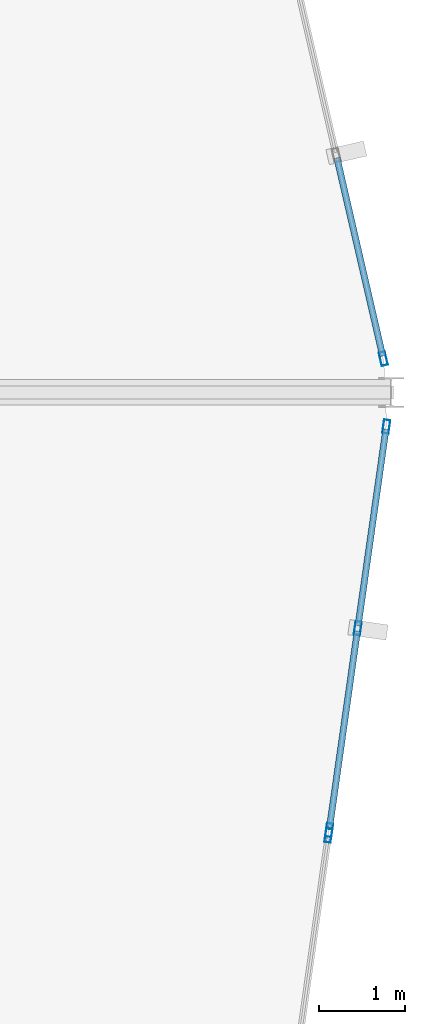
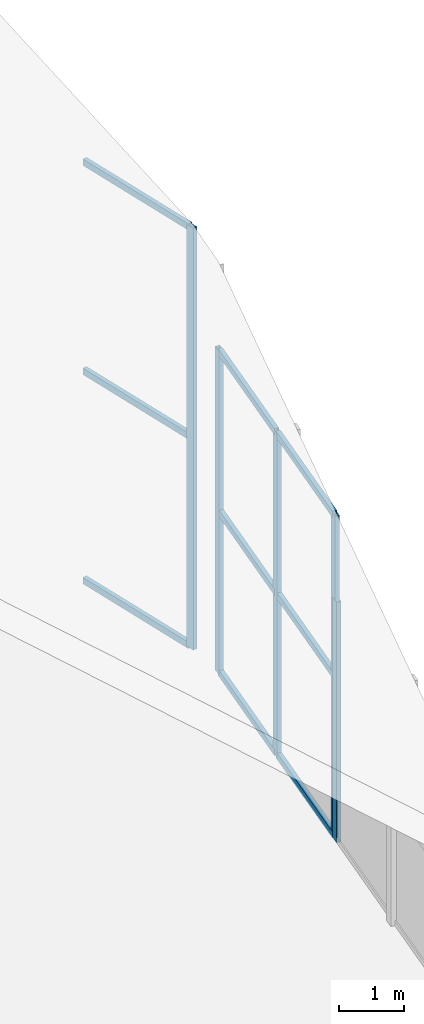
# One storey, part 23 of 74: 14 members, 3 elements without a shape of their own.
"""IFC4 building model written with IfcOpenShell, lengths in metres."""

from ifc_helpers import new_model, si_unit, direction, frame, origin, origin_2d, place, context, subcontext, project, spatial, hollow_rectangle, extrude, material, layer, layer_set, material_profile, profile_set, type_object, element, aggregate, save


model = new_model("IFC4")

# Units and contexts
model_context = context("Model", 3, precision=1e-05, world=origin(), true_north=direction((0.0, 1.0)))
body_context = subcontext(model_context, "Body", "Model", "MODEL_VIEW")
ifc_project = project(units=[si_unit("LENGTHUNIT", "METRE"), si_unit("AREAUNIT", "SQUARE_METRE"), si_unit("VOLUMEUNIT", "CUBIC_METRE"), si_unit("PLANEANGLEUNIT", "RADIAN"), si_unit("MASSUNIT", "GRAM", prefix="KILO")], contexts=[model_context])

# Site, building, storey
site_placement = place(None, origin())
site = spatial("IfcSite", under=ifc_project, at=site_placement, CompositionType="ELEMENT")
building_placement = place(site_placement, origin())
building = spatial("IfcBuilding", under=site, at=building_placement, Name="Keshet Zoharim Tower", CompositionType="ELEMENT")
storey_placement = place(building_placement, frame((0.0, 0.0, 320.0)))
storey = spatial("IfcBuildingStorey", under=building, at=storey_placement, Name="RF", CompositionType="ELEMENT", Elevation=320.0)

# Curtain wall, member
ifc_material = material(Name="Aluminium 6063-T6", Category="aluminium")
ifc_layer = layer(ifc_material, 0.260009765625)
ifc_layer_set = layer_set([ifc_layer], Name="Aluminium 6063-T6")
curtain_wall_type = type_object("IfcCurtainWallType", Name="CW-SYS-06", PredefinedType="NOTDEFINED", material=ifc_layer_set)
curtain_wall_1_placement = place(storey_placement, origin())
curtain_wall_1 = element("IfcCurtainWall", 1, at=curtain_wall_1_placement, inside=storey, type_object=curtain_wall_type, Name="Slanted Crown Curtain Wall 21", PredefinedType="NOTDEFINED")
ifc_material_profile_1 = material_profile(ifc_material, hollow_rectangle(XDim=0.074951171875, YDim=0.159912109375, WallThickness=0.00390625, at=origin_2d()), Name="MUL-75x160")
ifc_profile_set_1 = profile_set([ifc_material_profile_1], Name="Aluminium 6063-T6")
member_type_1 = type_object("IfcMemberType", Name="CWM-M15", PredefinedType="MULLION", material=ifc_profile_set_1)
member_1_placement = place(storey_placement, frame((44.90869140625, 28.293701171875, 0.0), z_axis=(0.0, 0.0, 1.0), x_axis=(0.974384378225, 0.224889047025, 0.0)))
member_1 = element("IfcMember", 2, at=member_1_placement, type_object=member_type_1, Name="CW-06 mullion 3", PredefinedType="MULLION", context=body_context, shape_type="SweptSolid", body=[
    extrude(hollow_rectangle(XDim=0.074951171875, YDim=0.159912109375, WallThickness=0.00390625, at=origin_2d()), origin(), (0.0, 0.0, 1.0), 7.902099609375),
])

# Curtain wall, members
curtain_wall_2_placement = place(storey_placement, origin())
curtain_wall_2 = element("IfcCurtainWall", 3, at=curtain_wall_2_placement, inside=storey, type_object=curtain_wall_type, Name="Slanted Crown Curtain Wall 22", PredefinedType="NOTDEFINED")
member_2_placement = place(storey_placement, frame((44.943359375, 27.499755859375, 0.0), z_axis=(0.0, 0.0, 1.0), x_axis=(0.990139244607, -0.140086674201, 0.0)))
member_2 = element("IfcMember", 4, at=member_2_placement, type_object=member_type_1, Name="CW-06 mullion 1", PredefinedType="MULLION", context=body_context, shape_type="SweptSolid", body=[
    extrude(hollow_rectangle(XDim=0.074951171875, YDim=0.159912109375, WallThickness=0.00390625, at=origin_2d()), origin(), (0.0, 0.0, 1.0), 6.069091796875),
])
member_3_placement = place(storey_placement, frame((44.610107421875, 25.14306640625, 0.0), z_axis=(0.0, 0.0, 1.0), x_axis=(0.990139244607, -0.140086674201, 0.0)))
member_3 = element("IfcMember", 5, at=member_3_placement, type_object=member_type_1, Name="CW-06 mullion 2", PredefinedType="MULLION", context=body_context, shape_type="SweptSolid", body=[
    extrude(hollow_rectangle(XDim=0.074951171875, YDim=0.159912109375, WallThickness=0.00390625, at=origin_2d()), origin(), (0.0, 0.0, 1.0), 6.069091796875),
])
member_4_placement = place(storey_placement, frame((44.276611328125, 22.7861328125, 0.0), z_axis=(0.0, 0.0, 1.0), x_axis=(0.990139244607, -0.140086674201, 0.0)))
member_4 = element("IfcMember", 6, at=member_4_placement, type_object=member_type_1, Name="CW-06 mullion 3", PredefinedType="MULLION", context=body_context, shape_type="SweptSolid", body=[
    extrude(hollow_rectangle(XDim=0.074951171875, YDim=0.159912109375, WallThickness=0.00390625, at=origin_2d()), origin(), (0.0, 0.0, 1.0), 6.069091796875),
])

# Curtain wall, member
curtain_wall_3_placement = place(storey_placement, origin())
curtain_wall_3 = element("IfcCurtainWall", 7, at=curtain_wall_3_placement, inside=storey, type_object=curtain_wall_type, Name="Slanted Crown Curtain Wall 23", PredefinedType="NOTDEFINED")
member_5_placement = place(storey_placement, frame((44.267333984375, 22.721923828125, 0.0), z_axis=(0.0, 0.0, 1.0), x_axis=(0.990139244607, -0.140086674201, 0.0)))
member_5 = element("IfcMember", 8, at=member_5_placement, type_object=member_type_1, Name="CW-06 mullion 1", PredefinedType="MULLION", context=body_context, shape_type="SweptSolid", body=[
    extrude(hollow_rectangle(XDim=0.074951171875, YDim=0.159912109375, WallThickness=0.00390625, at=origin_2d()), origin(), (0.0, 0.0, 1.0), 4.5029296875),
])
aggregate(curtain_wall_3, [member_5])

# Member
ifc_material_profile_2 = material_profile(ifc_material, hollow_rectangle(XDim=0.074951171875, YDim=0.1201171875, WallThickness=0.00390625, at=origin_2d()), Name="TRN-75x120")
ifc_profile_set_2 = profile_set([ifc_material_profile_2], Name="Aluminium 6063-T6")
member_type_2 = type_object("IfcMemberType", Name="CWT-T12", PredefinedType="USERDEFINED", material=ifc_profile_set_2)
member_6_placement = place(storey_placement, frame((44.3671875, 30.639404296875, 0.032470703125), z_axis=(0.224934587416, -0.974373866329, 0.0), x_axis=(0.974373866329, 0.224934587416, 0.0)))
member_6 = element("IfcMember", 9, at=member_6_placement, type_object=member_type_2, Name="CW-06 transom 2.1", ObjectType="TRANSOM", PredefinedType="USERDEFINED", context=body_context, shape_type="SweptSolid", body=[
    extrude(hollow_rectangle(XDim=0.074951171875, YDim=0.1201171875, WallThickness=0.00390625, at=origin_2d()), origin(), (0.0, 0.0, 1.0), 2.374755859375),
])

member_7_placement = place(storey_placement, frame((44.3671875, 30.639404296875, 3.950927734375), z_axis=(0.224934587416, -0.974373866329, 0.0), x_axis=(0.974373866329, 0.224934587416, 0.0)))
member_7 = element("IfcMember", 10, at=member_7_placement, type_object=member_type_2, Name="CW-06 transom 2.2", ObjectType="TRANSOM", PredefinedType="USERDEFINED", context=body_context, shape_type="SweptSolid", body=[
    extrude(hollow_rectangle(XDim=0.074951171875, YDim=0.1201171875, WallThickness=0.00390625, at=origin_2d()), origin(), (0.0, 0.0, 1.0), 2.374755859375),
])

member_8_placement = place(storey_placement, frame((44.3671875, 30.639404296875, 7.869384765625), z_axis=(0.224934587416, -0.974373866329, 0.0), x_axis=(0.974373866329, 0.224934587416, 0.0)))
member_8 = element("IfcMember", 11, at=member_8_placement, type_object=member_type_2, Name="CW-06 transom 2.3", ObjectType="TRANSOM", PredefinedType="USERDEFINED", context=body_context, shape_type="SweptSolid", body=[
    extrude(hollow_rectangle(XDim=0.074951171875, YDim=0.1201171875, WallThickness=0.00390625, at=origin_2d()), origin(), (0.0, 0.0, 1.0), 2.374755859375),
])

aggregate(curtain_wall_1, [member_1, member_6, member_7, member_8])

member_9_placement = place(storey_placement, frame((44.93896484375, 27.467529296875, 0.032470703125), z_axis=(-0.140151544957, -0.990130064409, 0.0), x_axis=(0.990130064409, -0.140151544957, 0.0)))
member_9 = element("IfcMember", 12, at=member_9_placement, type_object=member_type_2, Name="CW-06 transom 1.1", ObjectType="TRANSOM", PredefinedType="USERDEFINED", context=body_context, shape_type="SweptSolid", body=[
    extrude(hollow_rectangle(XDim=0.074951171875, YDim=0.1201171875, WallThickness=0.00390625, at=origin_2d()), origin(), (0.0, 0.0, 1.0), 2.315185546875),
])

member_10_placement = place(storey_placement, frame((44.93896484375, 27.467529296875, 3.033935546875), z_axis=(-0.140151544957, -0.990130064409, 0.0), x_axis=(0.990130064409, -0.140151544957, 0.0)))
member_10 = element("IfcMember", 13, at=member_10_placement, type_object=member_type_2, Name="CW-06 transom 1.2", ObjectType="TRANSOM", PredefinedType="USERDEFINED", context=body_context, shape_type="SweptSolid", body=[
    extrude(hollow_rectangle(XDim=0.074951171875, YDim=0.1201171875, WallThickness=0.00390625, at=origin_2d()), origin(), (0.0, 0.0, 1.0), 2.315185546875),
])

member_11_placement = place(storey_placement, frame((44.93896484375, 27.467529296875, 6.03662109375), z_axis=(-0.140151544957, -0.990130064409, 0.0), x_axis=(0.990130064409, -0.140151544957, 0.0)))
member_11 = element("IfcMember", 14, at=member_11_placement, type_object=member_type_2, Name="CW-06 transom 1.3", ObjectType="TRANSOM", PredefinedType="USERDEFINED", context=body_context, shape_type="SweptSolid", body=[
    extrude(hollow_rectangle(XDim=0.074951171875, YDim=0.1201171875, WallThickness=0.00390625, at=origin_2d()), origin(), (0.0, 0.0, 1.0), 2.315185546875),
])

member_12_placement = place(storey_placement, frame((44.60546875, 25.11083984375, 0.032470703125), z_axis=(-0.14013691247, -0.990132135507, 0.0), x_axis=(0.990132135507, -0.14013691247, 0.0)))
member_12 = element("IfcMember", 15, at=member_12_placement, type_object=member_type_2, Name="CW-06 transom 2.1", ObjectType="TRANSOM", PredefinedType="USERDEFINED", context=body_context, shape_type="SweptSolid", body=[
    extrude(hollow_rectangle(XDim=0.074951171875, YDim=0.1201171875, WallThickness=0.00390625, at=origin_2d()), origin(), (0.0, 0.0, 1.0), 2.3154296875),
])

member_13_placement = place(storey_placement, frame((44.60546875, 25.11083984375, 3.033935546875), z_axis=(-0.14013691247, -0.990132135507, 0.0), x_axis=(0.990132135507, -0.14013691247, 0.0)))
member_13 = element("IfcMember", 16, at=member_13_placement, type_object=member_type_2, Name="CW-06 transom 2.2", ObjectType="TRANSOM", PredefinedType="USERDEFINED", context=body_context, shape_type="SweptSolid", body=[
    extrude(hollow_rectangle(XDim=0.074951171875, YDim=0.1201171875, WallThickness=0.00390625, at=origin_2d()), origin(), (0.0, 0.0, 1.0), 2.3154296875),
])

member_14_placement = place(storey_placement, frame((44.60546875, 25.11083984375, 6.03662109375), z_axis=(-0.14013691247, -0.990132135507, 0.0), x_axis=(0.990132135507, -0.14013691247, 0.0)))
member_14 = element("IfcMember", 17, at=member_14_placement, type_object=member_type_2, Name="CW-06 transom 2.3", ObjectType="TRANSOM", PredefinedType="USERDEFINED", context=body_context, shape_type="SweptSolid", body=[
    extrude(hollow_rectangle(XDim=0.074951171875, YDim=0.1201171875, WallThickness=0.00390625, at=origin_2d()), origin(), (0.0, 0.0, 1.0), 2.3154296875),
])

aggregate(curtain_wall_2, [member_2, member_3, member_4, member_9, member_10, member_11, member_12, member_13, member_14])

save(model, "model.ifc")
